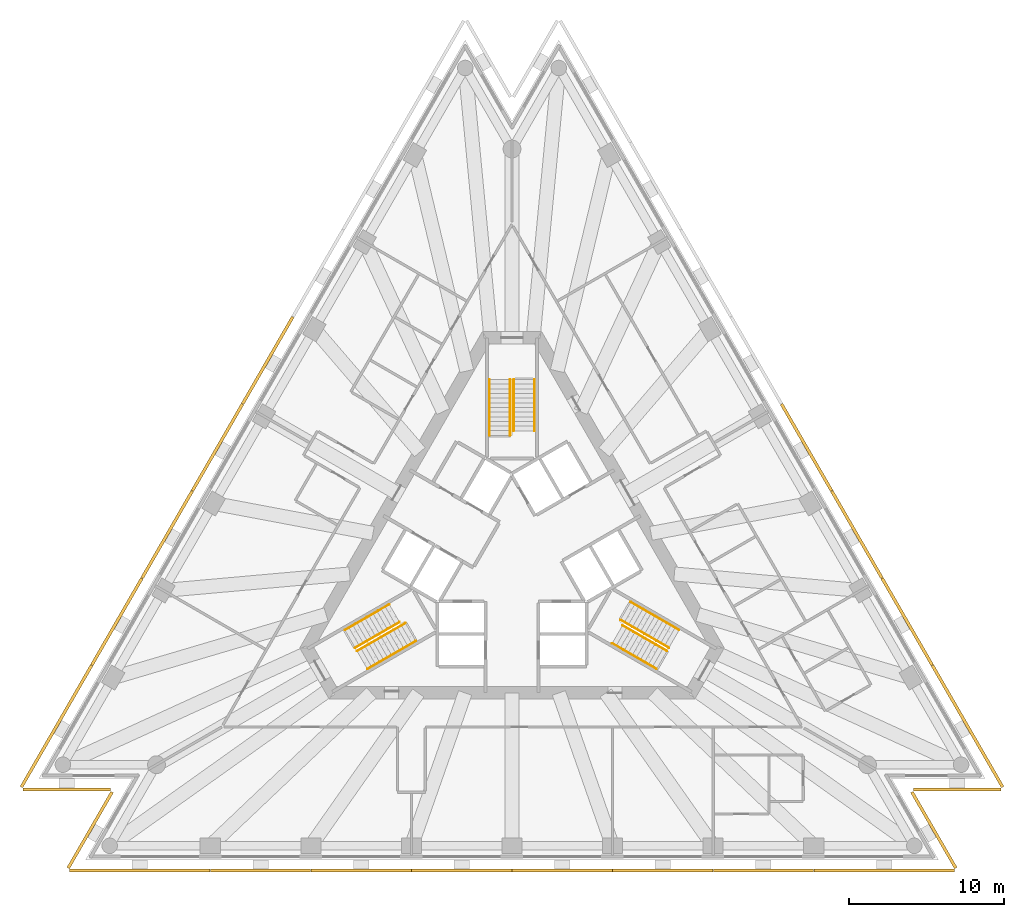
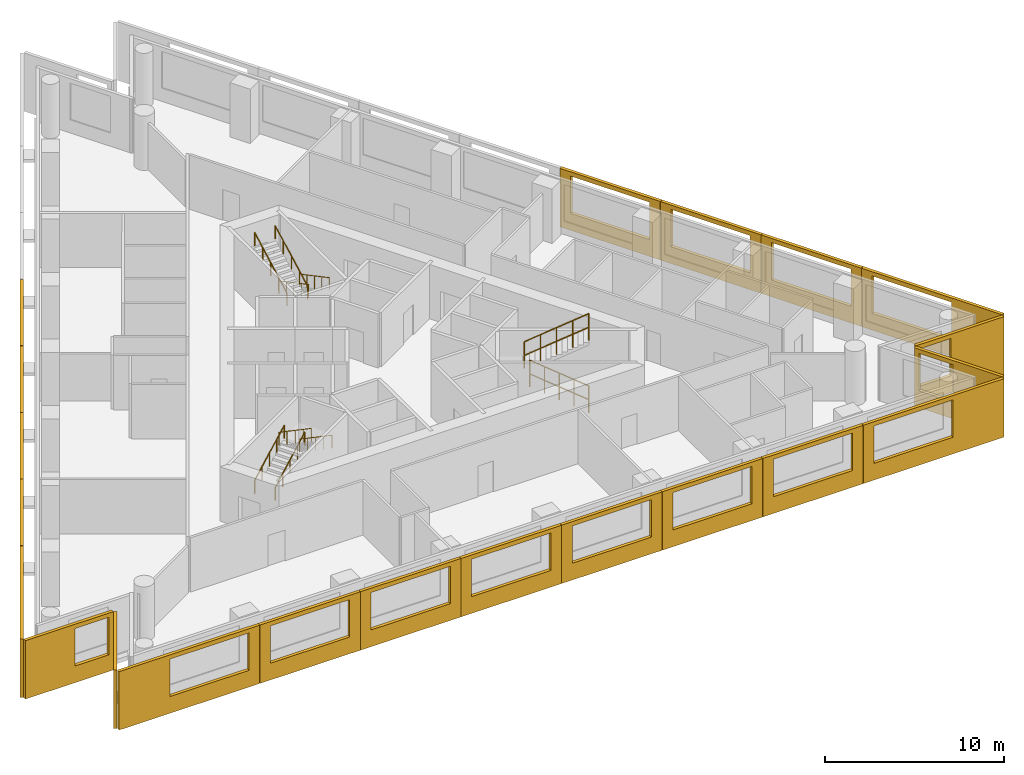
# One storey, part 8 of 9: 21 shading devices, 12 railings, 3 elements without a shape of their own.
"""IFC4 building model written with IfcOpenShell, lengths in metres."""

from ifc_helpers import new_model, si_unit, direction, frame, origin, origin_2d, place, context, subcontext, project, spatial, polyline, circle, outline, extrude, material, layer, layer_set, type_object, element, aggregate, save


model = new_model("IFC4")

# Units and contexts
model_context = context("Model", 3, precision=1e-05, world=origin(), true_north=direction((0.0, 1.0)))
body_context = subcontext(model_context, "Body", "Model", "MODEL_VIEW")
ifc_project = project(units=[si_unit("LENGTHUNIT", "METRE"), si_unit("AREAUNIT", "SQUARE_METRE"), si_unit("VOLUMEUNIT", "CUBIC_METRE"), si_unit("PLANEANGLEUNIT", "RADIAN"), si_unit("MASSUNIT", "GRAM", prefix="KILO")], contexts=[model_context])

# Site, building, storey
site_placement = place(None, origin())
site = spatial("IfcSite", under=ifc_project, at=site_placement, CompositionType="ELEMENT")
building_placement = place(site_placement, origin())
building = spatial("IfcBuilding", under=site, at=building_placement, Name="Triada Interchange Tower", CompositionType="ELEMENT")
storey_placement = place(building_placement, frame((0.0, 0.0, 164.300048828125)))
storey = spatial("IfcBuildingStorey", under=building, at=storey_placement, Name="L38", CompositionType="ELEMENT", Elevation=164.300048828125)

# Shading devices
ifc_material_1 = material(Name="Concrete C50/60 precast", Category="concrete")
ifc_layer_1 = layer(ifc_material_1, 0.02001953125, Name="Exposed aggregate face")
ifc_layer_2 = layer(ifc_material_1, 0.179931640625, Name="Precast concrete screen")
ifc_layer_set = layer_set([ifc_layer_1, ifc_layer_2], Name="Outer skin screen panel 3980")
shading_device_type = type_object("IfcShadingDeviceType", Name="Outer skin screen panel 3980", PredefinedType="SHUTTER", material=ifc_layer_set)
shading_device_1_placement = place(storey_placement, frame((-14.0439453125, 15.58203125, -0.2900390625), z_axis=(0.0, 0.0, 1.0), x_axis=(-0.500129044967, -0.865950886818, 0.0)))
element("IfcShadingDevice", 1, at=shading_device_1_placement, inside=storey, type_object=shading_device_type, Name="Outer skin screen panel L38 04", PredefinedType="SHUTTER", context=body_context, shape_type="SweptSolid", body=[
    extrude(outline(polyline([(0.0, 0.0), (6.462158203125, 0.0), (6.462158203125, 3.97998046875), (0.0, 3.97998046875), (0.0, 0.0)]), holes=[polyline([(0.680908203125, 1.139892578125), (0.680908203125, 3.68994140625), (5.781005859375, 3.68994140625), (5.781005859375, 1.139892578125), (0.680908203125, 1.139892578125)])]), frame((0.0, 0.0, 0.0), z_axis=(0.0, -1.0, 0.0), x_axis=(1.0, 0.0, 0.0)), (0.0, 0.0, 1.0), 0.199951171875),
])
shading_device_2_placement = place(storey_placement, frame((-17.285888671875, 9.968017578125, -0.2900390625), z_axis=(0.0, 0.0, 1.0), x_axis=(-0.500044047809, -0.865999971276, 0.0)))
element("IfcShadingDevice", 2, at=shading_device_2_placement, inside=storey, type_object=shading_device_type, Name="Outer skin screen panel L38 05", PredefinedType="SHUTTER", context=body_context, shape_type="SweptSolid", body=[
    extrude(outline(polyline([(0.0, 0.0), (6.4619140625, 0.0), (6.4619140625, 3.97998046875), (0.0, 3.97998046875), (0.0, 0.0)]), holes=[polyline([(0.6806640625, 1.139892578125), (0.6806640625, 3.68994140625), (5.78076171875, 3.68994140625), (5.78076171875, 1.139892578125), (0.6806640625, 1.139892578125)])]), frame((0.0, 0.0, 0.0), z_axis=(0.0, -1.0, 0.0), x_axis=(1.0, 0.0, 0.0)), (0.0, 0.0, 1.0), 0.199951171875),
])
shading_device_3_placement = place(storey_placement, frame((-20.527099609375, 4.35498046875, -0.2900390625), z_axis=(0.0, 0.0, 1.0), x_axis=(-0.499950276492, -0.866054109762, 0.0)))
element("IfcShadingDevice", 3, at=shading_device_3_placement, inside=storey, type_object=shading_device_type, Name="Outer skin screen panel L38 06", PredefinedType="SHUTTER", context=body_context, shape_type="SweptSolid", body=[
    extrude(outline(polyline([(0.0, 0.0), (6.462646484375, 0.0), (6.462646484375, 3.97998046875), (0.0, 3.97998046875), (0.0, 0.0)]), holes=[polyline([(0.681396484375, 1.139892578125), (0.681396484375, 3.68994140625), (5.781494140625, 3.68994140625), (5.781494140625, 1.139892578125), (0.681396484375, 1.139892578125)])]), frame((0.0, 0.0, 0.0), z_axis=(0.0, -1.0, 0.0), x_axis=(1.0, 0.0, 0.0)), (0.0, 0.0, 1.0), 0.199951171875),
])
shading_device_4_placement = place(storey_placement, frame((-23.76806640625, -1.259033203125, -0.2900390625), z_axis=(0.0, 0.0, 1.0), x_axis=(-0.499950276492, -0.866054109762, 0.0)))
element("IfcShadingDevice", 4, at=shading_device_4_placement, inside=storey, type_object=shading_device_type, Name="Outer skin screen panel L38 07", PredefinedType="SHUTTER", context=body_context, shape_type="SweptSolid", body=[
    extrude(outline(polyline([(0.0, 0.0), (6.462646484375, 0.0), (6.462646484375, 3.97998046875), (0.0, 3.97998046875), (0.0, 0.0)]), holes=[polyline([(0.68115234375, 1.139892578125), (0.68115234375, 3.68994140625), (5.78125, 3.68994140625), (5.78125, 1.139892578125), (0.68115234375, 1.139892578125)])]), frame((0.0, 0.0, 0.0), z_axis=(0.0, -1.0, 0.0), x_axis=(1.0, 0.0, 0.0)), (0.0, 0.0, 1.0), 0.199951171875),
])
shading_device_5_placement = place(storey_placement, frame((-27.009033203125, -6.873046875, -0.2900390625), z_axis=(0.0, 0.0, 1.0), x_axis=(-0.500014034262, -0.866017300948, 0.0)))
element("IfcShadingDevice", 5, at=shading_device_5_placement, inside=storey, type_object=shading_device_type, Name="Outer skin screen panel L38 08", PredefinedType="SHUTTER", context=body_context, shape_type="SweptSolid", body=[
    extrude(outline(polyline([(0.0, 0.0), (9.059814453125, 0.0), (9.059814453125, 3.97998046875), (0.0, 3.97998046875), (0.0, 0.0)]), holes=[polyline([(0.680908203125, 1.139892578125), (0.680908203125, 3.68994140625), (5.781005859375, 3.68994140625), (5.781005859375, 1.139892578125), (0.680908203125, 1.139892578125)])]), frame((0.0, 0.0, 0.0), z_axis=(0.0, -1.0, 0.0), x_axis=(1.0, 0.0, 0.0)), (0.0, 0.0, 1.0), 0.199951171875),
])
shading_device_6_placement = place(storey_placement, frame((-31.533935546875, -14.72802734375, -0.2900390625), z_axis=(0.0, 0.0, 1.0), x_axis=(1.0, 0.0, 0.0)))
element("IfcShadingDevice", 6, at=shading_device_6_placement, inside=storey, type_object=shading_device_type, Name="Outer skin screen panel L38 09", PredefinedType="SHUTTER", context=body_context, shape_type="SweptSolid", body=[
    extrude(outline(polyline([(0.0, 0.0), (5.6669921875, 0.0), (5.6669921875, 3.97998046875), (0.0, 3.97998046875), (0.0, 0.0)]), holes=[polyline([(3.175048828125, 1.139892578125), (3.175048828125, 3.68994140625), (5.366943359375, 3.68994140625), (5.366943359375, 1.139892578125), (3.175048828125, 1.139892578125)])]), frame((0.0, 0.0, 0.0), z_axis=(0.0, -1.0, 0.0), x_axis=(1.0, 0.0, 0.0)), (0.0, 0.0, 1.0), 0.199951171875),
])
shading_device_7_placement = place(storey_placement, frame((-25.68798828125, -15.037109375, -0.2900390625), z_axis=(0.0, 0.0, 1.0), x_axis=(-0.500049351658, -0.865996908716, 0.0)))
element("IfcShadingDevice", 7, at=shading_device_7_placement, inside=storey, type_object=shading_device_type, Name="Outer skin screen panel L38 10", PredefinedType="SHUTTER", context=body_context, shape_type="SweptSolid", body=[
    extrude(outline(polyline([(0.0, 0.0), (5.66748046875, 0.0), (5.66748046875, 3.97998046875), (0.0, 3.97998046875), (0.0, 0.0)]), holes=[polyline([(0.300048828125, 1.139892578125), (0.300048828125, 3.68994140625), (2.258056640625, 3.68994140625), (2.258056640625, 1.139892578125), (0.300048828125, 1.139892578125)])]), frame((0.0, 0.0, 0.0), z_axis=(0.0, -1.0, 0.0), x_axis=(1.0, 0.0, 0.0)), (0.0, 0.0, 1.0), 0.199951171875),
])
shading_device_8_placement = place(storey_placement, frame((-28.51708984375, -19.9541015625, -0.2900390625), z_axis=(0.0, 0.0, 1.0), x_axis=(1.0, 0.0, 0.0)))
element("IfcShadingDevice", 8, at=shading_device_8_placement, inside=storey, type_object=shading_device_type, Name="Outer skin screen panel L38 11", PredefinedType="SHUTTER", context=body_context, shape_type="SweptSolid", body=[
    extrude(outline(polyline([(0.0, 0.0), (9.06005859375, 0.0), (9.06005859375, 3.97998046875), (0.0, 3.97998046875), (0.0, 0.0)]), holes=[polyline([(3.279052734375, 1.139892578125), (3.279052734375, 3.68994140625), (8.37890625, 3.68994140625), (8.37890625, 1.139892578125), (3.279052734375, 1.139892578125)])]), frame((0.0, 0.0, 0.0), z_axis=(0.0, -1.0, 0.0), x_axis=(1.0, 0.0, 0.0)), (0.0, 0.0, 1.0), 0.199951171875),
])
shading_device_9_placement = place(storey_placement, frame((-19.43701171875, -19.9541015625, -0.2900390625), z_axis=(0.0, 0.0, 1.0), x_axis=(1.0, 0.0, 0.0)))
element("IfcShadingDevice", 9, at=shading_device_9_placement, inside=storey, type_object=shading_device_type, Name="Outer skin screen panel L38 12", PredefinedType="SHUTTER", context=body_context, shape_type="SweptSolid", body=[
    extrude(outline(polyline([(0.0, 0.0), (6.462890625, 0.0), (6.462890625, 3.97998046875), (0.0, 3.97998046875), (0.0, 0.0)]), holes=[polyline([(0.6806640625, 1.139892578125), (0.6806640625, 3.68994140625), (5.78076171875, 3.68994140625), (5.78076171875, 1.139892578125), (0.6806640625, 1.139892578125)])]), frame((0.0, 0.0, 0.0), z_axis=(0.0, -1.0, 0.0), x_axis=(1.0, 0.0, 0.0)), (0.0, 0.0, 1.0), 0.199951171875),
])
shading_device_10_placement = place(storey_placement, frame((-12.9541015625, -19.9541015625, -0.2900390625), z_axis=(0.0, 0.0, 1.0), x_axis=(1.0, 0.0, 0.0)))
element("IfcShadingDevice", 10, at=shading_device_10_placement, inside=storey, type_object=shading_device_type, Name="Outer skin screen panel L38 13", PredefinedType="SHUTTER", context=body_context, shape_type="SweptSolid", body=[
    extrude(outline(polyline([(0.0, 0.0), (6.462158203125, 0.0), (6.462158203125, 3.97998046875), (0.0, 3.97998046875), (0.0, 0.0)]), holes=[polyline([(0.681396484375, 1.139892578125), (0.681396484375, 3.68994140625), (5.781494140625, 3.68994140625), (5.781494140625, 1.139892578125), (0.681396484375, 1.139892578125)])]), frame((0.0, 0.0, 0.0), z_axis=(0.0, -1.0, 0.0), x_axis=(1.0, 0.0, 0.0)), (0.0, 0.0, 1.0), 0.199951171875),
])
shading_device_11_placement = place(storey_placement, frame((-6.471923828125, -19.9541015625, -0.2900390625), z_axis=(0.0, 0.0, 1.0), x_axis=(1.0, 0.0, 0.0)))
element("IfcShadingDevice", 11, at=shading_device_11_placement, inside=storey, type_object=shading_device_type, Name="Outer skin screen panel L38 14", PredefinedType="SHUTTER", context=body_context, shape_type="SweptSolid", body=[
    extrude(outline(polyline([(0.0, 0.0), (6.4619140625, 0.0), (6.4619140625, 3.97998046875), (0.0, 3.97998046875), (0.0, 0.0)]), holes=[polyline([(0.68115234375, 1.139892578125), (0.68115234375, 3.68994140625), (5.78125, 3.68994140625), (5.78125, 1.139892578125), (0.68115234375, 1.139892578125)])]), frame((0.0, 0.0, 0.0), z_axis=(0.0, -1.0, 0.0), x_axis=(1.0, 0.0, 0.0)), (0.0, 0.0, 1.0), 0.199951171875),
])
shading_device_12_placement = place(storey_placement, frame((0.010009765625, -19.9541015625, -0.2900390625), z_axis=(0.0, 0.0, 1.0), x_axis=(1.0, 0.0, 0.0)))
element("IfcShadingDevice", 12, at=shading_device_12_placement, inside=storey, type_object=shading_device_type, Name="Outer skin screen panel L38 15", PredefinedType="SHUTTER", context=body_context, shape_type="SweptSolid", body=[
    extrude(outline(polyline([(0.0, 0.0), (6.4619140625, 0.0), (6.4619140625, 3.97998046875), (0.0, 3.97998046875), (0.0, 0.0)]), holes=[polyline([(0.680908203125, 1.139892578125), (0.680908203125, 3.68994140625), (5.781005859375, 3.68994140625), (5.781005859375, 1.139892578125), (0.680908203125, 1.139892578125)])]), frame((0.0, 0.0, 0.0), z_axis=(0.0, -1.0, 0.0), x_axis=(1.0, 0.0, 0.0)), (0.0, 0.0, 1.0), 0.199951171875),
])
shading_device_13_placement = place(storey_placement, frame((6.491943359375, -19.9541015625, -0.2900390625), z_axis=(0.0, 0.0, 1.0), x_axis=(1.0, 0.0, 0.0)))
element("IfcShadingDevice", 13, at=shading_device_13_placement, inside=storey, type_object=shading_device_type, Name="Outer skin screen panel L38 16", PredefinedType="SHUTTER", context=body_context, shape_type="SweptSolid", body=[
    extrude(outline(polyline([(0.0, 0.0), (6.463134765625, 0.0), (6.463134765625, 3.97998046875), (0.0, 3.97998046875), (0.0, 0.0)]), holes=[polyline([(0.680908203125, 1.139892578125), (0.680908203125, 3.68994140625), (5.78076171875, 3.68994140625), (5.78076171875, 1.139892578125), (0.680908203125, 1.139892578125)])]), frame((0.0, 0.0, 0.0), z_axis=(0.0, -1.0, 0.0), x_axis=(1.0, 0.0, 0.0)), (0.0, 0.0, 1.0), 0.199951171875),
])
shading_device_14_placement = place(storey_placement, frame((12.97412109375, -19.9541015625, -0.2900390625), z_axis=(0.0, 0.0, 1.0), x_axis=(1.0, 0.0, 0.0)))
element("IfcShadingDevice", 14, at=shading_device_14_placement, inside=storey, type_object=shading_device_type, Name="Outer skin screen panel L38 17", PredefinedType="SHUTTER", context=body_context, shape_type="SweptSolid", body=[
    extrude(outline(polyline([(0.0, 0.0), (6.462890625, 0.0), (6.462890625, 3.97998046875), (0.0, 3.97998046875), (0.0, 0.0)]), holes=[polyline([(0.681396484375, 1.139892578125), (0.681396484375, 3.68994140625), (5.781494140625, 3.68994140625), (5.781494140625, 1.139892578125), (0.681396484375, 1.139892578125)])]), frame((0.0, 0.0, 0.0), z_axis=(0.0, -1.0, 0.0), x_axis=(1.0, 0.0, 0.0)), (0.0, 0.0, 1.0), 0.199951171875),
])
shading_device_15_placement = place(storey_placement, frame((19.45703125, -19.9541015625, -0.2900390625), z_axis=(0.0, 0.0, 1.0), x_axis=(1.0, 0.0, 0.0)))
element("IfcShadingDevice", 15, at=shading_device_15_placement, inside=storey, type_object=shading_device_type, Name="Outer skin screen panel L38 18", PredefinedType="SHUTTER", context=body_context, shape_type="SweptSolid", body=[
    extrude(outline(polyline([(0.0, 0.0), (9.06005859375, 0.0), (9.06005859375, 3.97998046875), (0.0, 3.97998046875), (0.0, 0.0)]), holes=[polyline([(0.681396484375, 1.139892578125), (0.681396484375, 3.68994140625), (5.78125, 3.68994140625), (5.78125, 1.139892578125), (0.681396484375, 1.139892578125)])]), frame((0.0, 0.0, 0.0), z_axis=(0.0, -1.0, 0.0), x_axis=(1.0, 0.0, 0.0)), (0.0, 0.0, 1.0), 0.199951171875),
])
shading_device_16_placement = place(storey_placement, frame((28.52197265625, -19.945068359375, -0.2900390625), z_axis=(0.0, 0.0, 1.0), x_axis=(-0.500049351658, 0.865996908716, 0.0)))
element("IfcShadingDevice", 16, at=shading_device_16_placement, inside=storey, type_object=shading_device_type, Name="Outer skin screen panel L38 19", PredefinedType="SHUTTER", context=body_context, shape_type="SweptSolid", body=[
    extrude(outline(polyline([(0.0, 0.0), (5.66748046875, 0.0), (5.66748046875, 3.97998046875), (0.0, 3.97998046875), (0.0, 0.0)]), holes=[polyline([(3.17529296875, 1.139892578125), (3.17529296875, 3.68994140625), (5.36767578125, 3.68994140625), (5.36767578125, 1.139892578125), (3.17529296875, 1.139892578125)])]), frame((0.0, 0.0, 0.0), z_axis=(0.0, -1.0, 0.0), x_axis=(1.0, 0.0, 0.0)), (0.0, 0.0, 1.0), 0.199951171875),
])
shading_device_17_placement = place(storey_placement, frame((25.866943359375, -14.72802734375, -0.2900390625), z_axis=(0.0, 0.0, 1.0), x_axis=(1.0, 0.0, 0.0)))
element("IfcShadingDevice", 17, at=shading_device_17_placement, inside=storey, type_object=shading_device_type, Name="Outer skin screen panel L38 20", PredefinedType="SHUTTER", context=body_context, shape_type="SweptSolid", body=[
    extrude(outline(polyline([(0.0, 0.0), (5.6669921875, 0.0), (5.6669921875, 3.97998046875), (0.0, 3.97998046875), (0.0, 0.0)]), holes=[polyline([(0.300048828125, 1.139892578125), (0.300048828125, 3.68994140625), (2.258056640625, 3.68994140625), (2.258056640625, 1.139892578125), (0.300048828125, 1.139892578125)])]), frame((0.0, 0.0, 0.0), z_axis=(0.0, -1.0, 0.0), x_axis=(1.0, 0.0, 0.0)), (0.0, 0.0, 1.0), 0.199951171875),
])
shading_device_18_placement = place(storey_placement, frame((31.5390625, -14.718994140625, -0.2900390625), z_axis=(0.0, 0.0, 1.0), x_axis=(-0.500014034262, 0.866017300948, 0.0)))
element("IfcShadingDevice", 18, at=shading_device_18_placement, inside=storey, type_object=shading_device_type, Name="Outer skin screen panel L38 21", PredefinedType="SHUTTER", context=body_context, shape_type="SweptSolid", body=[
    extrude(outline(polyline([(0.0, 0.0), (9.059814453125, 0.0), (9.059814453125, 3.97998046875), (0.0, 3.97998046875), (0.0, 0.0)]), holes=[polyline([(3.279296875, 1.139892578125), (3.279296875, 3.68994140625), (8.37939453125, 3.68994140625), (8.37939453125, 1.139892578125), (3.279296875, 1.139892578125)])]), frame((0.0, 0.0, 0.0), z_axis=(0.0, -1.0, 0.0), x_axis=(1.0, 0.0, 0.0)), (0.0, 0.0, 1.0), 0.199951171875),
])
shading_device_19_placement = place(storey_placement, frame((26.9990234375, -6.85595703125, -0.2900390625), z_axis=(0.0, 0.0, 1.0), x_axis=(-0.499950276492, 0.866054109762, 0.0)))
element("IfcShadingDevice", 19, at=shading_device_19_placement, inside=storey, type_object=shading_device_type, Name="Outer skin screen panel L38 22", PredefinedType="SHUTTER", context=body_context, shape_type="SweptSolid", body=[
    extrude(outline(polyline([(0.0, 0.0), (6.462646484375, 0.0), (6.462646484375, 3.97998046875), (0.0, 3.97998046875), (0.0, 0.0)]), holes=[polyline([(0.680908203125, 1.139892578125), (0.680908203125, 3.68994140625), (5.781005859375, 3.68994140625), (5.781005859375, 1.139892578125), (0.680908203125, 1.139892578125)])]), frame((0.0, 0.0, 0.0), z_axis=(0.0, -1.0, 0.0), x_axis=(1.0, 0.0, 0.0)), (0.0, 0.0, 1.0), 0.199951171875),
])
shading_device_20_placement = place(storey_placement, frame((23.758056640625, -1.241943359375, -0.2900390625), z_axis=(0.0, 0.0, 1.0), x_axis=(-0.499950276492, 0.866054109762, 0.0)))
element("IfcShadingDevice", 20, at=shading_device_20_placement, inside=storey, type_object=shading_device_type, Name="Outer skin screen panel L38 23", PredefinedType="SHUTTER", context=body_context, shape_type="SweptSolid", body=[
    extrude(outline(polyline([(0.0, 0.0), (6.462646484375, 0.0), (6.462646484375, 3.97998046875), (0.0, 3.97998046875), (0.0, 0.0)]), holes=[polyline([(0.680908203125, 1.139892578125), (0.680908203125, 3.68994140625), (5.78076171875, 3.68994140625), (5.78076171875, 1.139892578125), (0.680908203125, 1.139892578125)])]), frame((0.0, 0.0, 0.0), z_axis=(0.0, -1.0, 0.0), x_axis=(1.0, 0.0, 0.0)), (0.0, 0.0, 1.0), 0.199951171875),
])
shading_device_21_placement = place(storey_placement, frame((20.51708984375, 4.3720703125, -0.2900390625), z_axis=(0.0, 0.0, 1.0), x_axis=(-0.500044047809, 0.865999971276, 0.0)))
element("IfcShadingDevice", 21, at=shading_device_21_placement, inside=storey, type_object=shading_device_type, Name="Outer skin screen panel L38 24", PredefinedType="SHUTTER", context=body_context, shape_type="SweptSolid", body=[
    extrude(outline(polyline([(0.0, 0.0), (6.4619140625, 0.0), (6.4619140625, 3.97998046875), (0.0, 3.97998046875), (0.0, 0.0)]), holes=[polyline([(0.6806640625, 1.139892578125), (0.6806640625, 3.68994140625), (5.780517578125, 3.68994140625), (5.780517578125, 1.139892578125), (0.6806640625, 1.139892578125)])]), frame((0.0, 0.0, 0.0), z_axis=(0.0, -1.0, 0.0), x_axis=(1.0, 0.0, 0.0)), (0.0, 0.0, 1.0), 0.199951171875),
])

# Stair, railings
ifc_material_2 = material(Name="Concrete C35/45", Category="concrete")
stair_type = type_object("IfcStairType", Name="HALF TURN STAIR 1400", PredefinedType="HALF_TURN_STAIR", material=ifc_material_2)
stair_1_placement = place(storey_placement, origin())
stair_1 = element("IfcStair", 22, at=stair_1_placement, inside=storey, type_object=stair_type, Name="Exit stair S38-1", PredefinedType="HALF_TURN_STAIR")
ifc_material_3 = material(Name="Stainless steel 1.4301", Category="steel")
railing_type = type_object("IfcRailingType", Name="STAIR HANDRAIL 900", PredefinedType="HANDRAIL", material=ifc_material_3)
railing_1_placement = place(storey_placement, frame((1.449951171875, 11.60009765625, 0.159912109375)))
railing_1 = element("IfcRailing", 23, at=railing_1_placement, type_object=railing_type, Name="Handrail S38-1 1W", PredefinedType="HANDRAIL", context=body_context, shape_type="SweptSolid", body=[
    extrude(circle(Radius=0.02392578125, at=origin_2d()), frame((0.0, 0.0, 0.8759765625), z_axis=(0.0, -0.882354748157, 0.47058484719), x_axis=(1.0, 0.0, 0.0)), (0.0, 0.0, 1.0), 3.739990234375),
    extrude(circle(Radius=0.02099609375, at=origin_2d()), origin(), (0.0, 0.0, 1.0), 0.851806640625),
    extrude(circle(Radius=0.02099609375, at=origin_2d()), frame((0.0, -0.824951171875, 0.43994140625)), (0.0, 0.0, 1.0), 0.851806640625),
    extrude(circle(Radius=0.02099609375, at=origin_2d()), frame((0.0, -1.64990234375, 0.8798828125)), (0.0, 0.0, 1.0), 0.851806640625),
    extrude(circle(Radius=0.02099609375, at=origin_2d()), frame((0.0, -2.47509765625, 1.320068359375)), (0.0, 0.0, 1.0), 0.851806640625),
    extrude(circle(Radius=0.02099609375, at=origin_2d()), frame((0.0, -3.300048828125, 1.760009765625)), (0.0, 0.0, 1.0), 0.851806640625),
])
railing_2_placement = place(storey_placement, frame((0.1201171875, 11.60009765625, 0.159912109375)))
railing_2 = element("IfcRailing", 24, at=railing_2_placement, type_object=railing_type, Name="Handrail S38-1 1C", PredefinedType="HANDRAIL", context=body_context, shape_type="SweptSolid", body=[
    extrude(circle(Radius=0.02392578125, at=origin_2d()), frame((0.0, 0.0, 0.8759765625), z_axis=(0.0, -0.882354748157, 0.47058484719), x_axis=(1.0, 0.0, 0.0)), (0.0, 0.0, 1.0), 3.739990234375),
    extrude(circle(Radius=0.02099609375, at=origin_2d()), origin(), (0.0, 0.0, 1.0), 0.851806640625),
    extrude(circle(Radius=0.02099609375, at=origin_2d()), frame((0.0, -0.824951171875, 0.43994140625)), (0.0, 0.0, 1.0), 0.851806640625),
    extrude(circle(Radius=0.02099609375, at=origin_2d()), frame((0.0, -1.64990234375, 0.8798828125)), (0.0, 0.0, 1.0), 0.851806640625),
    extrude(circle(Radius=0.02099609375, at=origin_2d()), frame((0.0, -2.47509765625, 1.320068359375)), (0.0, 0.0, 1.0), 0.851806640625),
    extrude(circle(Radius=0.02099609375, at=origin_2d()), frame((0.0, -3.300048828125, 1.760009765625)), (0.0, 0.0, 1.0), 0.851806640625),
])
railing_3_placement = place(storey_placement, frame((-1.449951171875, 8.0, 2.079833984375)))
railing_3 = element("IfcRailing", 25, at=railing_3_placement, type_object=railing_type, Name="Handrail S38-1 2W", PredefinedType="HANDRAIL", context=body_context, shape_type="SweptSolid", body=[
    extrude(circle(Radius=0.02392578125, at=origin_2d()), frame((0.0, 0.0, 0.8759765625), z_axis=(0.0, 0.882341346394, 0.470609974867), x_axis=(-1.0, 0.0, 0.0)), (0.0, 0.0, 1.0), 4.080078125),
    extrude(circle(Radius=0.02099609375, at=origin_2d()), origin(), (0.0, 0.0, 1.0), 0.851806640625),
    extrude(circle(Radius=0.02099609375, at=origin_2d()), frame((0.0, 0.89990234375, 0.47998046875)), (0.0, 0.0, 1.0), 0.851806640625),
    extrude(circle(Radius=0.02099609375, at=origin_2d()), frame((0.0, 1.800048828125, 0.9599609375)), (0.0, 0.0, 1.0), 0.851806640625),
    extrude(circle(Radius=0.02099609375, at=origin_2d()), frame((0.0, 2.7001953125, 1.440185546875)), (0.0, 0.0, 1.0), 0.851806640625),
    extrude(circle(Radius=0.02099609375, at=origin_2d()), frame((0.0, 3.60009765625, 1.920166015625)), (0.0, 0.0, 1.0), 0.851806640625),
])
railing_4_placement = place(storey_placement, frame((-0.1201171875, 8.0, 2.079833984375)))
railing_4 = element("IfcRailing", 26, at=railing_4_placement, type_object=railing_type, Name="Handrail S38-1 2C", PredefinedType="HANDRAIL", context=body_context, shape_type="SweptSolid", body=[
    extrude(circle(Radius=0.02392578125, at=origin_2d()), frame((0.0, 0.0, 0.8759765625), z_axis=(0.0, 0.882341346394, 0.470609974867), x_axis=(-1.0, 0.0, 0.0)), (0.0, 0.0, 1.0), 4.080078125),
    extrude(circle(Radius=0.02099609375, at=origin_2d()), origin(), (0.0, 0.0, 1.0), 0.851806640625),
    extrude(circle(Radius=0.02099609375, at=origin_2d()), frame((0.0, 0.89990234375, 0.47998046875)), (0.0, 0.0, 1.0), 0.851806640625),
    extrude(circle(Radius=0.02099609375, at=origin_2d()), frame((0.0, 1.800048828125, 0.9599609375)), (0.0, 0.0, 1.0), 0.851806640625),
    extrude(circle(Radius=0.02099609375, at=origin_2d()), frame((0.0, 2.7001953125, 1.440185546875)), (0.0, 0.0, 1.0), 0.851806640625),
    extrude(circle(Radius=0.02099609375, at=origin_2d()), frame((0.0, 3.60009765625, 1.920166015625)), (0.0, 0.0, 1.0), 0.851806640625),
])
aggregate(stair_1, [railing_1, railing_2, railing_3, railing_4])

stair_2_placement = place(storey_placement, origin())
stair_2 = element("IfcStair", 27, at=stair_2_placement, inside=storey, type_object=stair_type, Name="Exit stair S38-2", PredefinedType="HALF_TURN_STAIR")
railing_5_placement = place(storey_placement, frame((-10.77099609375, -4.5439453125, 0.159912109375)))
railing_5 = element("IfcRailing", 28, at=railing_5_placement, type_object=railing_type, Name="Handrail S38-2 1W", PredefinedType="HANDRAIL", context=body_context, shape_type="SweptSolid", body=[
    extrude(circle(Radius=0.02392578125, at=origin_2d()), frame((0.0, 0.0, 0.8759765625), z_axis=(0.764150854273, 0.441152526326, 0.470593158077), x_axis=(-0.499974350878, 0.866040211805, 0.0)), (0.0, 0.0, 1.0), 3.739990234375),
    extrude(circle(Radius=0.02099609375, at=origin_2d()), origin(), (0.0, 0.0, 1.0), 0.851806640625),
    extrude(circle(Radius=0.02099609375, at=origin_2d()), frame((0.71435546875, 0.41259765625, 0.43994140625)), (0.0, 0.0, 1.0), 0.851806640625),
    extrude(circle(Radius=0.02099609375, at=origin_2d()), frame((1.428955078125, 0.824951171875, 0.8798828125)), (0.0, 0.0, 1.0), 0.851806640625),
    extrude(circle(Radius=0.02099609375, at=origin_2d()), frame((2.1435546875, 1.2373046875, 1.320068359375)), (0.0, 0.0, 1.0), 0.851806640625),
    extrude(circle(Radius=0.02099609375, at=origin_2d()), frame((2.85791015625, 1.64990234375, 1.760009765625)), (0.0, 0.0, 1.0), 0.851806640625),
])
railing_6_placement = place(storey_placement, frame((-10.10595703125, -5.696044921875, 0.159912109375)))
railing_6 = element("IfcRailing", 29, at=railing_6_placement, type_object=railing_type, Name="Handrail S38-2 1C", PredefinedType="HANDRAIL", context=body_context, shape_type="SweptSolid", body=[
    extrude(circle(Radius=0.02392578125, at=origin_2d()), frame((0.0, 0.0, 0.8759765625), z_axis=(0.76412884773, 0.441205098395, 0.470579605611), x_axis=(-0.50002983664, 0.866008176907, 0.0)), (0.0, 0.0, 1.0), 3.739990234375),
    extrude(circle(Radius=0.02099609375, at=origin_2d()), origin(), (0.0, 0.0, 1.0), 0.851806640625),
    extrude(circle(Radius=0.02099609375, at=origin_2d()), frame((0.71435546875, 0.41259765625, 0.43994140625)), (0.0, 0.0, 1.0), 0.851806640625),
    extrude(circle(Radius=0.02099609375, at=origin_2d()), frame((1.428955078125, 0.8251953125, 0.8798828125)), (0.0, 0.0, 1.0), 0.851806640625),
    extrude(circle(Radius=0.02099609375, at=origin_2d()), frame((2.1435546875, 1.237548828125, 1.320068359375)), (0.0, 0.0, 1.0), 0.851806640625),
    extrude(circle(Radius=0.02099609375, at=origin_2d()), frame((2.85791015625, 1.650146484375, 1.760009765625)), (0.0, 0.0, 1.0), 0.851806640625),
])
railing_7_placement = place(storey_placement, frame((-6.202880859375, -5.256103515625, 2.079833984375)))
railing_7 = element("IfcRailing", 30, at=railing_7_placement, type_object=railing_type, Name="Handrail S38-2 2W", PredefinedType="HANDRAIL", context=body_context, shape_type="SweptSolid", body=[
    extrude(circle(Radius=0.02392578125, at=origin_2d()), frame((0.0, 0.0, 0.8759765625), z_axis=(-0.764189758314, -0.441090424232, 0.470588196769), x_axis=(0.499902469156, -0.866081705922, 0.0)), (0.0, 0.0, 1.0), 4.080322265625),
    extrude(circle(Radius=0.02099609375, at=origin_2d()), origin(), (0.0, 0.0, 1.0), 0.851806640625),
    extrude(circle(Radius=0.02099609375, at=origin_2d()), frame((-0.779541015625, -0.449951171875, 0.47998046875)), (0.0, 0.0, 1.0), 0.851806640625),
    extrude(circle(Radius=0.02099609375, at=origin_2d()), frame((-1.55908203125, -0.89990234375, 0.9599609375)), (0.0, 0.0, 1.0), 0.851806640625),
    extrude(circle(Radius=0.02099609375, at=origin_2d()), frame((-2.338623046875, -1.349853515625, 1.440185546875)), (0.0, 0.0, 1.0), 0.851806640625),
    extrude(circle(Radius=0.02099609375, at=origin_2d()), frame((-3.1181640625, -1.7998046875, 1.920166015625)), (0.0, 0.0, 1.0), 0.851806640625),
])
railing_8_placement = place(storey_placement, frame((-6.867919921875, -4.10400390625, 2.079833984375)))
railing_8 = element("IfcRailing", 31, at=railing_8_placement, type_object=railing_type, Name="Handrail S38-2 2C", PredefinedType="HANDRAIL", context=body_context, shape_type="SweptSolid", body=[
    extrude(circle(Radius=0.02392578125, at=origin_2d()), frame((0.0, 0.0, 0.8759765625), z_axis=(-0.764169589359, -0.441138614339, 0.470575776723), x_axis=(0.49995333141, -0.866052346231, 0.0)), (0.0, 0.0, 1.0), 4.08056640625),
    extrude(circle(Radius=0.02099609375, at=origin_2d()), origin(), (0.0, 0.0, 1.0), 0.851806640625),
    extrude(circle(Radius=0.02099609375, at=origin_2d()), frame((-0.779541015625, -0.449951171875, 0.47998046875)), (0.0, 0.0, 1.0), 0.851806640625),
    extrude(circle(Radius=0.02099609375, at=origin_2d()), frame((-1.55908203125, -0.89990234375, 0.9599609375)), (0.0, 0.0, 1.0), 0.851806640625),
    extrude(circle(Radius=0.02099609375, at=origin_2d()), frame((-2.338623046875, -1.35009765625, 1.440185546875)), (0.0, 0.0, 1.0), 0.851806640625),
    extrude(circle(Radius=0.02099609375, at=origin_2d()), frame((-3.1181640625, -1.800048828125, 1.920166015625)), (0.0, 0.0, 1.0), 0.851806640625),
])
aggregate(stair_2, [railing_5, railing_6, railing_7, railing_8])

stair_3_placement = place(storey_placement, origin())
stair_3 = element("IfcStair", 32, at=stair_3_placement, inside=storey, type_object=stair_type, Name="Exit stair S38-3", PredefinedType="HALF_TURN_STAIR")
railing_9_placement = place(storey_placement, frame((9.321044921875, -7.055908203125, 0.159912109375)))
railing_9 = element("IfcRailing", 33, at=railing_9_placement, type_object=railing_type, Name="Handrail S38-3 1W", PredefinedType="HANDRAIL", context=body_context, shape_type="SweptSolid", body=[
    extrude(circle(Radius=0.02392578125, at=origin_2d()), frame((0.0, 0.0, 0.8759765625), z_axis=(-0.764178012919, 0.441130521168, 0.470569684388), x_axis=(-0.499942318283, -0.866058703778, 0.0)), (0.0, 0.0, 1.0), 3.740234375),
    extrude(circle(Radius=0.02099609375, at=origin_2d()), origin(), (0.0, 0.0, 1.0), 0.851806640625),
    extrude(circle(Radius=0.02099609375, at=origin_2d()), frame((-0.714599609375, 0.41259765625, 0.43994140625)), (0.0, 0.0, 1.0), 0.851806640625),
    extrude(circle(Radius=0.02099609375, at=origin_2d()), frame((-1.42919921875, 0.824951171875, 0.8798828125)), (0.0, 0.0, 1.0), 0.851806640625),
    extrude(circle(Radius=0.02099609375, at=origin_2d()), frame((-2.1435546875, 1.2373046875, 1.320068359375)), (0.0, 0.0, 1.0), 0.851806640625),
    extrude(circle(Radius=0.02099609375, at=origin_2d()), frame((-2.858154296875, 1.64990234375, 1.760009765625)), (0.0, 0.0, 1.0), 0.851806640625),
])
railing_10_placement = place(storey_placement, frame((9.986083984375, -5.904052734375, 0.159912109375)))
railing_10 = element("IfcRailing", 34, at=railing_10_placement, type_object=railing_type, Name="Handrail S38-3 1C", PredefinedType="HANDRAIL", context=body_context, shape_type="SweptSolid", body=[
    extrude(circle(Radius=0.02392578125, at=origin_2d()), frame((0.0, 0.0, 0.8759765625), z_axis=(-0.764156007789, 0.441183091881, 0.47055613395), x_axis=(-0.49999780286, -0.8660266723, 0.0)), (0.0, 0.0, 1.0), 3.740234375),
    extrude(circle(Radius=0.02099609375, at=origin_2d()), origin(), (0.0, 0.0, 1.0), 0.851806640625),
    extrude(circle(Radius=0.02099609375, at=origin_2d()), frame((-0.714599609375, 0.41259765625, 0.43994140625)), (0.0, 0.0, 1.0), 0.851806640625),
    extrude(circle(Radius=0.02099609375, at=origin_2d()), frame((-1.42919921875, 0.8251953125, 0.8798828125)), (0.0, 0.0, 1.0), 0.851806640625),
    extrude(circle(Radius=0.02099609375, at=origin_2d()), frame((-2.1435546875, 1.237548828125, 1.320068359375)), (0.0, 0.0, 1.0), 0.851806640625),
    extrude(circle(Radius=0.02099609375, at=origin_2d()), frame((-2.858154296875, 1.650146484375, 1.760009765625)), (0.0, 0.0, 1.0), 0.851806640625),
])
railing_11_placement = place(storey_placement, frame((7.653076171875, -2.743896484375, 2.079833984375)))
railing_11 = element("IfcRailing", 35, at=railing_11_placement, type_object=railing_type, Name="Handrail S38-3 2W", PredefinedType="HANDRAIL", context=body_context, shape_type="SweptSolid", body=[
    extrude(circle(Radius=0.02392578125, at=origin_2d()), frame((0.0, 0.0, 0.8759765625), z_axis=(0.76414469501, -0.441158784458, 0.470597292793), x_axis=(0.499982693035, 0.866035395735, 0.0)), (0.0, 0.0, 1.0), 4.080322265625),
    extrude(circle(Radius=0.02099609375, at=origin_2d()), origin(), (0.0, 0.0, 1.0), 0.851806640625),
    extrude(circle(Radius=0.02099609375, at=origin_2d()), frame((0.779541015625, -0.449951171875, 0.47998046875)), (0.0, 0.0, 1.0), 0.851806640625),
    extrude(circle(Radius=0.02099609375, at=origin_2d()), frame((1.55908203125, -0.89990234375, 0.9599609375)), (0.0, 0.0, 1.0), 0.851806640625),
    extrude(circle(Radius=0.02099609375, at=origin_2d()), frame((2.33837890625, -1.35009765625, 1.440185546875)), (0.0, 0.0, 1.0), 0.851806640625),
    extrude(circle(Radius=0.02099609375, at=origin_2d()), frame((3.117919921875, -1.800048828125, 1.920166015625)), (0.0, 0.0, 1.0), 0.851806640625),
])
railing_12_placement = place(storey_placement, frame((6.988037109375, -3.89599609375, 2.079833984375)))
railing_12 = element("IfcRailing", 36, at=railing_12_placement, type_object=railing_type, Name="Handrail S38-3 2C", PredefinedType="HANDRAIL", context=body_context, shape_type="SweptSolid", body=[
    extrude(circle(Radius=0.02392578125, at=origin_2d()), frame((0.0, 0.0, 0.8759765625), z_axis=(0.76414469501, -0.441158784458, 0.470597292793), x_axis=(0.499982693035, 0.866035395735, 0.0)), (0.0, 0.0, 1.0), 4.080322265625),
    extrude(circle(Radius=0.02099609375, at=origin_2d()), origin(), (0.0, 0.0, 1.0), 0.851806640625),
    extrude(circle(Radius=0.02099609375, at=origin_2d()), frame((0.779541015625, -0.449951171875, 0.47998046875)), (0.0, 0.0, 1.0), 0.851806640625),
    extrude(circle(Radius=0.02099609375, at=origin_2d()), frame((1.55908203125, -0.89990234375, 0.9599609375)), (0.0, 0.0, 1.0), 0.851806640625),
    extrude(circle(Radius=0.02099609375, at=origin_2d()), frame((2.33837890625, -1.35009765625, 1.440185546875)), (0.0, 0.0, 1.0), 0.851806640625),
    extrude(circle(Radius=0.02099609375, at=origin_2d()), frame((3.117919921875, -1.800048828125, 1.920166015625)), (0.0, 0.0, 1.0), 0.851806640625),
])
aggregate(stair_3, [railing_9, railing_10, railing_11, railing_12])

save(model, "model.ifc")
